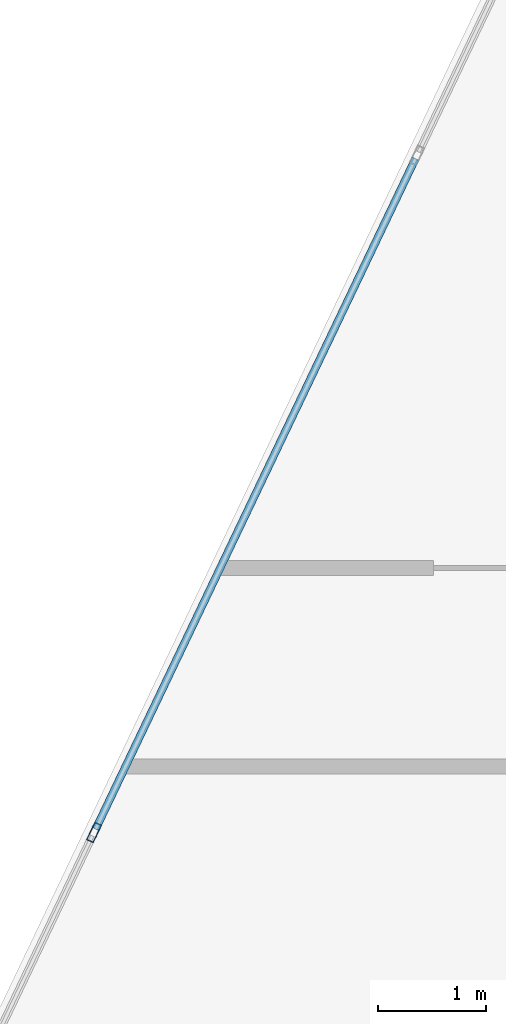
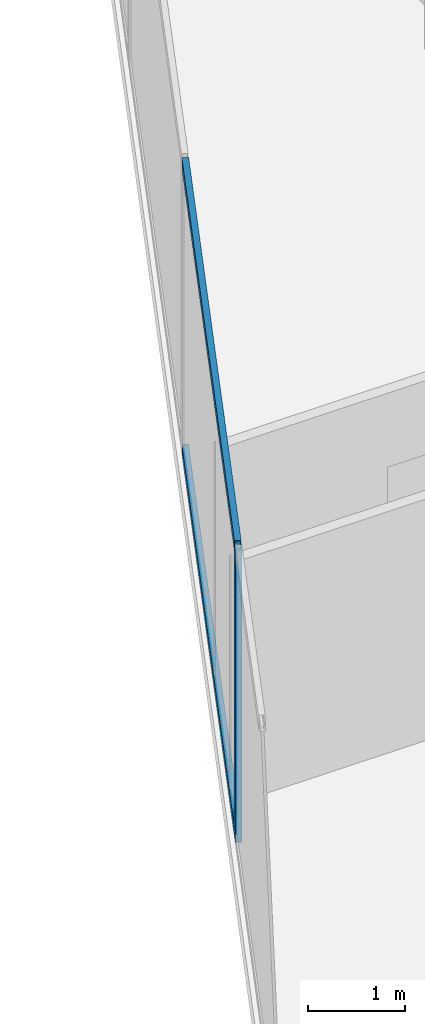
# One storey, part 7 of 25: 3 members, 1 element without a shape of its own.
"""IFC4 building model written with IfcOpenShell, lengths in metres."""

import ifcopenshell
import ifcopenshell.guid

model = None  # the IFC model being written
_history = None  # IfcOwnerHistory: only IFC2X3 demands one
_inside = {}  # id of a spatial element -> (the spatial element, [elements in it])
_under = {}  # id of a project, library or spatial element -> (it, [spatial elements below it])
_declared = {}  # id of a project -> (the project, [libraries it declares])
_typed = {}  # id of a type object -> (the type object, [elements of that type])
_made_of = {}  # id of a material, layer set ... -> (it, [elements and type objects made of it])


def new_model(schema):
    """Start an empty IFC model of exactly this schema.

    Asked for "IFC4X3", IfcOpenShell would pick the latest addendum, in which some entities
    have other attributes; the version numbers below select the first issue.
    IFC2X3 requires an IfcOwnerHistory on every rooted entity: one is made here for all.
    """
    global model, _history
    if schema == "IFC4X3":
        model = ifcopenshell.file(schema_version=(4, 3, 0, 0))
    else:
        model = ifcopenshell.file(schema=schema)
    _inside.clear()
    _under.clear()
    _declared.clear()
    _typed.clear()
    _made_of.clear()
    _history = None
    if model.schema == "IFC2X3":
        org = make("IfcOrganization", Name="unknown")
        user = make(
            "IfcPersonAndOrganization",
            ThePerson=make("IfcPerson", FamilyName="unknown"),
            TheOrganization=org,
        )
        app = make(
            "IfcApplication",
            ApplicationDeveloper=org,
            Version="unknown",
            ApplicationFullName="unknown",
            ApplicationIdentifier="unknown",
        )
        _history = make(
            "IfcOwnerHistory",
            OwningUser=user,
            OwningApplication=app,
            ChangeAction="ADDED",
            CreationDate=0,
        )
    return model


def make(cls, **values):
    """One entity of the class cls with the attributes given. An attribute that is None is left unset."""
    return model.create_entity(
        cls, **{name: value for name, value in values.items() if value is not None}
    )


def rooted(cls, **values):
    """An entity with a GlobalId (a new one), such as an element, a storey or a relation."""
    return make(cls, GlobalId=ifcopenshell.guid.new(), OwnerHistory=_history, **values)


def si_unit(unit_type, name, prefix=None):
    """IfcSIUnit, for example si_unit("LENGTHUNIT", "METRE", prefix="MILLI")."""
    return make("IfcSIUnit", UnitType=unit_type, Prefix=prefix, Name=name)


def assignment(units):
    """IfcUnitAssignment: the units of a project."""
    return None if units is None else make("IfcUnitAssignment", Units=units)


def point(xyz):
    """IfcCartesianPoint."""
    return None if xyz is None else make("IfcCartesianPoint", Coordinates=xyz)


def direction(xyz):
    """IfcDirection."""
    return None if xyz is None else make("IfcDirection", DirectionRatios=xyz)


def frame(location, z_axis=None, x_axis=None):
    """IfcAxis2Placement3D, a coordinate frame: its origin and axes. An axis left out is left unset."""
    return make(
        "IfcAxis2Placement3D",
        Location=point(location),
        Axis=direction(z_axis),
        RefDirection=direction(x_axis),
    )


def frame_2d(location, x_axis=None):
    """IfcAxis2Placement2D, a coordinate frame in the plane: its origin and x axis."""
    return make(
        "IfcAxis2Placement2D", Location=point(location), RefDirection=direction(x_axis)
    )


def origin():
    """The frame at (0, 0, 0) with its axes left unset."""
    return frame((0.0, 0.0, 0.0))


def origin_2d():
    """The frame at (0, 0) in the plane with its x axis left unset."""
    return frame_2d((0.0, 0.0))


def place(relative_to, where):
    """IfcLocalPlacement: puts the frame where relative to a parent placement (None: the world)."""
    return make(
        "IfcLocalPlacement", PlacementRelTo=relative_to, RelativePlacement=where
    )


def context(
    kind, dimensions, precision=None, world=None, true_north=None, identifier=None
):
    """IfcGeometricRepresentationContext, for example the 3D "Model" context."""
    return make(
        "IfcGeometricRepresentationContext",
        ContextIdentifier=identifier,
        ContextType=kind,
        CoordinateSpaceDimension=dimensions,
        Precision=precision,
        WorldCoordinateSystem=world,
        TrueNorth=true_north,
    )


def subcontext(parent, identifier, kind, view, scale=None):
    """IfcGeometricRepresentationSubContext, for example "Body" below "Model"."""
    return make(
        "IfcGeometricRepresentationSubContext",
        ContextIdentifier=identifier,
        ContextType=kind,
        ParentContext=parent,
        TargetScale=scale,
        TargetView=view,
    )


def project(units=None, contexts=None):
    """IfcProject with its units and contexts."""
    return rooted(
        "IfcProject",
        Name="project",
        RepresentationContexts=contexts,
        UnitsInContext=assignment(units),
    )


def spatial(cls, under=None, at=None, **own):
    """A site, building, storey or space (cls), placed at a placement, below another one or the project."""
    s = rooted(cls, ObjectPlacement=at, **own)
    if under is not None:
        _under.setdefault(under.id(), (under, []))[1].append(s)
    return s


def profile(cls, at=None, kind="AREA", **sizes):
    """A parametric profile (cls). Its sizes go by their IFC names, for example OverallWidth=200.0."""
    return make(cls, ProfileType=kind, Position=at, **sizes)


def hollow_rectangle(**sizes):
    """IfcRectangleHollowProfileDef."""
    return profile("IfcRectangleHollowProfileDef", **sizes)


def extrude(swept, where, along, depth):
    """IfcExtrudedAreaSolid: the profile swept, set in the frame where, extruded along a direction by depth."""
    return make(
        "IfcExtrudedAreaSolid",
        SweptArea=swept,
        Position=where,
        ExtrudedDirection=direction(along),
        Depth=depth,
    )


def shape(context_of_items, identifier, shape_type, items):
    """IfcShapeRepresentation: the items that make up one representation, for example the "Body"."""
    return make(
        "IfcShapeRepresentation",
        ContextOfItems=context_of_items,
        RepresentationIdentifier=identifier,
        RepresentationType=shape_type,
        Items=items,
    )


def source(mapping_origin, context_of_items, identifier, shape_type, items):
    """IfcRepresentationMap: a shape defined once, which mapped items show again and again."""
    return make(
        "IfcRepresentationMap",
        MappingOrigin=mapping_origin,
        MappedRepresentation=shape(context_of_items, identifier, shape_type, items),
    )


def transform(
    local_origin,
    x_axis=None,
    y_axis=None,
    z_axis=None,
    scale=None,
    scale2=None,
    scale3=None,
    uniform=True,
):
    """IfcCartesianTransformationOperator3D, or its non-uniform kind. x_axis, y_axis, z_axis: its Axis1, 2, 3."""
    if uniform:
        return make(
            "IfcCartesianTransformationOperator3D",
            Axis1=direction(x_axis),
            Axis2=direction(y_axis),
            LocalOrigin=point(local_origin),
            Scale=scale,
            Axis3=direction(z_axis),
        )
    return make(
        "IfcCartesianTransformationOperator3DnonUniform",
        Axis1=direction(x_axis),
        Axis2=direction(y_axis),
        LocalOrigin=point(local_origin),
        Scale=scale,
        Axis3=direction(z_axis),
        Scale2=scale2,
        Scale3=scale3,
    )


def mapped(mapping_source, mapping_target):
    """IfcMappedItem: shows the shape of a source again, moved by a transform."""
    return make(
        "IfcMappedItem", MappingSource=mapping_source, MappingTarget=mapping_target
    )


def material(Name=None, Category=None):
    """IfcMaterial."""
    return make("IfcMaterial", Name=Name, Category=Category)


def material_profile(
    of_material, cross_section, Name=None, Category=None, Priority=None
):
    """IfcMaterialProfile: a cross section and its material."""
    return make(
        "IfcMaterialProfile",
        Name=Name,
        Material=of_material,
        Profile=cross_section,
        Priority=Priority,
        Category=Category,
    )


def profile_set(profiles, Name=None, composite=None):
    """IfcMaterialProfileSet."""
    return make(
        "IfcMaterialProfileSet",
        Name=Name,
        MaterialProfiles=profiles,
        CompositeProfile=composite,
    )


def made_of(thing, what):
    """Note that an element or type object is made of a material, layer set ...; save() writes the relation."""
    if what is not None:
        _made_of.setdefault(what.id(), (what, []))[1].append(thing)
    return thing


def type_object(cls, material=None, **own):
    """A type object (cls), such as IfcWallType, which elements share."""
    return made_of(rooted(cls, **own), material)


def type_shapes(of_type, sources):
    """Give a type object the sources (RepresentationMaps) that its elements show as mapped items."""
    of_type.RepresentationMaps = sources


def element(
    cls,
    number,
    at=None,
    inside=None,
    cuts=None,
    type_object=None,
    material=None,
    context=None,
    identifier="Body",
    shape_type=None,
    held_by="IfcProductDefinitionShape",
    body=None,
    shapes=None,
    **own,
):
    """One element of the class cls, such as IfcWall. Its Tag is "e" and its number.

    at: its placement. inside: the storey or other place that contains it. cuts: it is an
    opening in that element (IfcRelVoidsElement). A single representation is given by context,
    identifier, shape_type and body (its items); several are given by shapes. held_by: the class
    of the entity that holds the representations. save() writes the other relations.
    """
    e = rooted(cls, Tag="e%d" % number, ObjectPlacement=at, **own)
    if body is not None:
        shapes = [shape(context, identifier, shape_type, body)]
    if shapes is not None:
        e.Representation = make(held_by, Representations=shapes)
    if inside is not None:
        _inside.setdefault(inside.id(), (inside, []))[1].append(e)
    if cuts is not None:
        rooted(
            "IfcRelVoidsElement", RelatingBuildingElement=cuts, RelatedOpeningElement=e
        )
    if type_object is not None:
        _typed.setdefault(type_object.id(), (type_object, []))[1].append(e)
    return made_of(e, material)


def aggregate(whole, parts):
    """IfcRelAggregates: a whole, such as a stair, and the parts it consists of."""
    return rooted("IfcRelAggregates", RelatingObject=whole, RelatedObjects=parts)


def save(model, path):
    """Write the relations noted so far, then the file.

    IfcRelAggregates (storeys below a building ...), IfcRelContainedInSpatialStructure (elements
    in a storey), IfcRelDefinesByType, IfcRelAssociatesMaterial and IfcRelDeclares: one each for
    every whole, place, type object, material and project.
    """
    for whole, parts in _under.values():
        aggregate(whole, parts)
    for where, things in _inside.values():
        rooted(
            "IfcRelContainedInSpatialStructure",
            RelatedElements=things,
            RelatingStructure=where,
        )
    for kind, things in _typed.values():
        rooted("IfcRelDefinesByType", RelatedObjects=things, RelatingType=kind)
    for what, things in _made_of.values():
        rooted("IfcRelAssociatesMaterial", RelatedObjects=things, RelatingMaterial=what)
    for by, libraries in _declared.values():
        rooted("IfcRelDeclares", RelatingContext=by, RelatedDefinitions=libraries)
    model.write(path)


model = new_model("IFC4")

# Units and contexts
model_context = context("Model", 3, precision=1e-05, world=origin(), true_north=direction((0.0, 1.0)))
body_context = subcontext(model_context, "Body", "Model", "MODEL_VIEW")
ifc_project = project(units=[si_unit("LENGTHUNIT", "METRE"), si_unit("AREAUNIT", "SQUARE_METRE"), si_unit("VOLUMEUNIT", "CUBIC_METRE"), si_unit("PLANEANGLEUNIT", "RADIAN"), si_unit("MASSUNIT", "GRAM", prefix="KILO")], contexts=[model_context])

# Site, building, storey
site_placement = place(None, origin())
site = spatial("IfcSite", under=ifc_project, at=site_placement, CompositionType="ELEMENT")
building_placement = place(site_placement, origin())
building = spatial("IfcBuilding", under=site, at=building_placement, Name="Krantzveldt Concourse Tower", CompositionType="ELEMENT")
storey_placement = place(building_placement, frame((0.0, 0.0, 146.199951171875)))
storey = spatial("IfcBuildingStorey", under=building, at=storey_placement, Name="L35", CompositionType="ELEMENT", Elevation=146.199951171875)

# Curtain wall, members
ifc_material = material(Name="Anodised aluminium 6063-T6", Category="aluminium")
curtain_wall_type = type_object("IfcCurtainWallType", Name="CW3", PredefinedType="USERDEFINED", material=ifc_material)
curtain_wall_placement = place(storey_placement, origin())
curtain_wall = element("IfcCurtainWall", 1, at=curtain_wall_placement, inside=storey, type_object=curtain_wall_type, Name="CW-L35-F01", ObjectType="UNITISED CURTAIN WALL", PredefinedType="USERDEFINED")
ifc_material_profile_1 = material_profile(ifc_material, hollow_rectangle(XDim=0.070068359375, YDim=0.179931640625, WallThickness=0.0048828125, at=origin_2d()), Name="Anodised aluminium 6063-T6", Category="aluminium")
ifc_profile_set_1 = profile_set([ifc_material_profile_1], Name="Anodised aluminium 6063-T6 - ALU-MULL 180x70x5")
member_type_1 = type_object("IfcMemberType", Name="CW-MUL-180", PredefinedType="MULLION", material=ifc_profile_set_1)
shared_shape_1 = source(origin(), body_context, "Body", "SweptSolid", [
    extrude(hollow_rectangle(XDim=0.070068359375, YDim=0.179931640625, WallThickness=0.0048828125, at=origin_2d()), origin(), (0.0, 0.0, 1.0), 3.670166015625),
])
type_shapes(member_type_1, [shared_shape_1])
member_1_placement = place(storey_placement, frame((11.820068359375, 26.66650390625, 0.0), z_axis=(0.0, 0.0, 1.0), x_axis=(0.902585252784, -0.430511162987, 0.0)))
member_1 = element("IfcMember", 2, at=member_1_placement, type_object=member_type_1, Name="CW-Z34 mullion 5", PredefinedType="MULLION", context=body_context, shape_type="MappedRepresentation", body=[
    mapped(shared_shape_1, transform((0.0, 0.0, 0.0), x_axis=(1.0, 0.0, 0.0), y_axis=(0.0, 1.0, 0.0), z_axis=(0.0, 0.0, 1.0), scale=1.0)),
])
ifc_material_profile_2 = material_profile(ifc_material, hollow_rectangle(XDim=0.070068359375, YDim=0.139892578125, WallThickness=0.0048828125, at=origin_2d()), Name="Anodised aluminium 6063-T6", Category="aluminium")
ifc_profile_set_2 = profile_set([ifc_material_profile_2], Name="Anodised aluminium 6063-T6 - ALU-TRAN 140x70x5")
member_type_2 = type_object("IfcMemberType", Name="CW-TRN-150", PredefinedType="USERDEFINED", material=ifc_profile_set_2)
shared_shape_2 = source(origin(), body_context, "Body", "SweptSolid", [
    extrude(hollow_rectangle(XDim=0.070068359375, YDim=0.139892578125, WallThickness=0.0048828125, at=origin_2d()), origin(), (0.0, 0.0, 1.0), 6.889892578125),
])
type_shapes(member_type_2, [shared_shape_2])
member_2_placement = place(storey_placement, frame((14.80126953125, 32.916748046875, 0.03515625), z_axis=(-0.430496063592, -0.902592454673, 0.0), x_axis=(0.902592454673, -0.430496063592, 0.0)))
member_2 = element("IfcMember", 3, at=member_2_placement, type_object=member_type_2, Name="CW-Z34 transom 4.1", ObjectType="TRANSOM", PredefinedType="USERDEFINED", context=body_context, shape_type="MappedRepresentation", body=[
    mapped(shared_shape_2, transform((0.0, 0.0, 0.0), x_axis=(1.0, 0.0, 0.0), y_axis=(0.0, 1.0, 0.0), z_axis=(0.0, 0.0, 1.0), scale=1.0)),
])
member_3_placement = place(storey_placement, frame((14.80126953125, 32.916748046875, 3.635009765625), z_axis=(-0.430496063592, -0.902592454673, 0.0), x_axis=(0.902592454673, -0.430496063592, 0.0)))
member_3 = element("IfcMember", 4, at=member_3_placement, type_object=member_type_2, Name="CW-Z34 transom 4.2", ObjectType="TRANSOM", PredefinedType="USERDEFINED", context=body_context, shape_type="MappedRepresentation", body=[
    mapped(shared_shape_2, transform((0.0, 0.0, 0.0), x_axis=(1.0, 0.0, 0.0), y_axis=(0.0, 1.0, 0.0), z_axis=(0.0, 0.0, 1.0), scale=1.0)),
])
aggregate(curtain_wall, [member_1, member_2, member_3])

save(model, "model.ifc")
